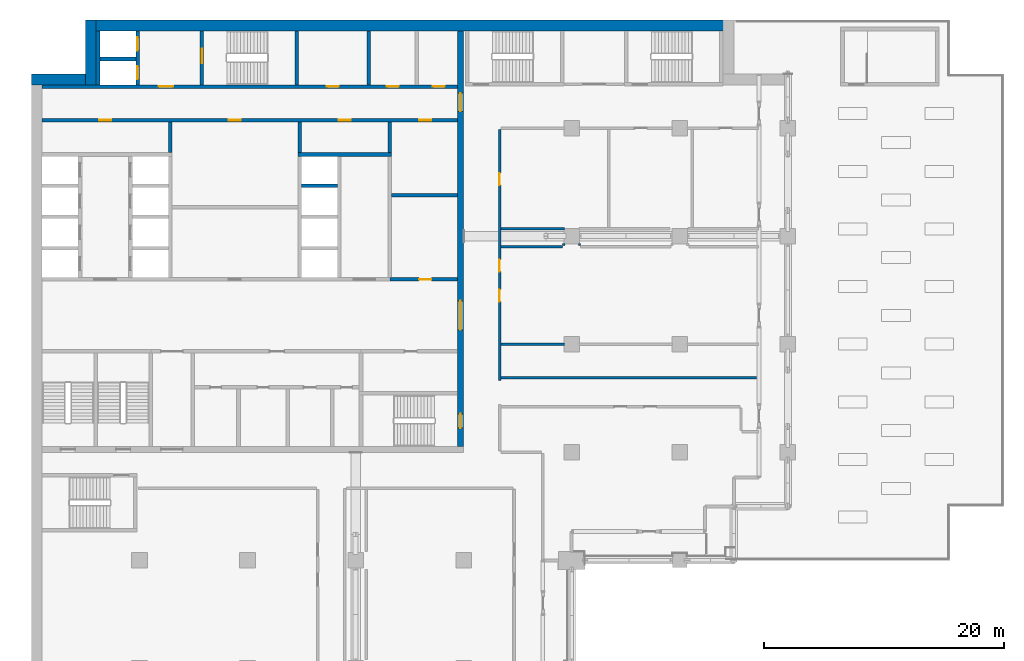
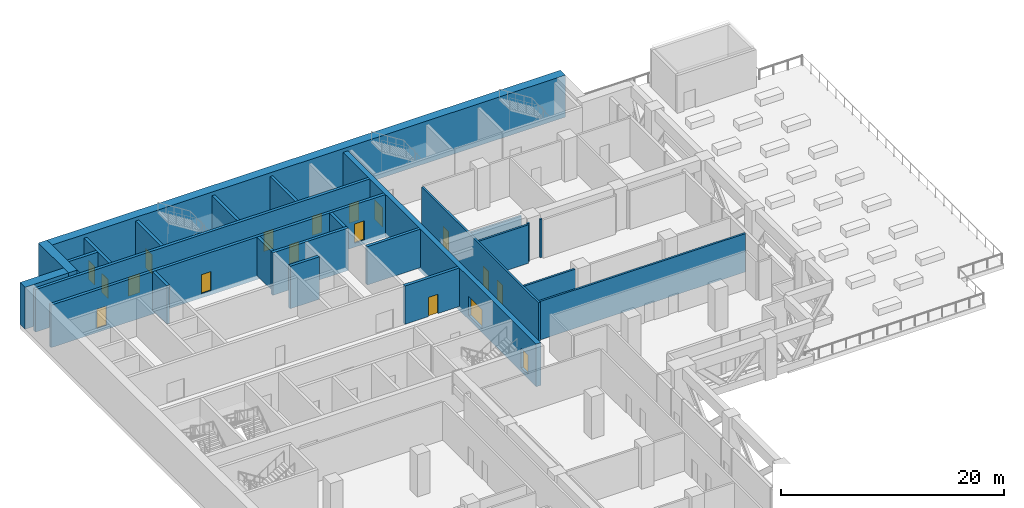
# One storey, part 11 of 22: 26 walls, 18 doors, 18 openings.
"""IFC4 building model written with IfcOpenShell, lengths in metres."""

from ifc_helpers import new_model, si_unit, direction, frame, frame_2d, origin, place, context, subcontext, project, spatial, rectangle, extrude, material, layer, layer_set, type_object, element, fill, save


model = new_model("IFC4")

# Units and contexts
model_context = context("Model", 3, precision=1e-05, world=origin(), true_north=direction((0.0, 1.0)))
body_context = subcontext(model_context, "Body", "Model", "MODEL_VIEW")
ifc_project = project(units=[si_unit("LENGTHUNIT", "METRE"), si_unit("AREAUNIT", "SQUARE_METRE"), si_unit("VOLUMEUNIT", "CUBIC_METRE"), si_unit("PLANEANGLEUNIT", "RADIAN"), si_unit("MASSUNIT", "GRAM", prefix="KILO")], contexts=[model_context])

# Site, building, storey
site_placement = place(None, origin())
site = spatial("IfcSite", under=ifc_project, at=site_placement, CompositionType="ELEMENT")
building_placement = place(site_placement, origin())
building = spatial("IfcBuilding", under=site, at=building_placement, Name="Hunhe Ridgeline Campus", CompositionType="ELEMENT")
storey_placement = place(building_placement, frame((0.0, 0.0, 129.199951171875)))
storey = spatial("IfcBuildingStorey", under=building, at=storey_placement, Name="L32", CompositionType="ELEMENT", Elevation=129.199951171875)

# Walls
ifc_material_1 = material(Name="Masonry concrete blockwork", Category="masonry")
ifc_layer_1 = layer(ifc_material_1, 0.300048828125)
ifc_layer_set_1 = layer_set([ifc_layer_1], Name="Core room partition 300 concrete block")
wall_type_1 = type_object("IfcWallType", Name="Core room partition 300 concrete block", PredefinedType="PARTITIONING", material=ifc_layer_set_1)
wall_1_placement = place(storey_placement, frame((30.0, 84.39990234375, 0.0), z_axis=(0.0, 0.0, 1.0), x_axis=(1.0, 0.0, 0.0)))
element("IfcWall", 1, at=wall_1_placement, inside=storey, type_object=wall_type_1, Name="L32 core partition 22", PredefinedType="PARTITIONING", context=body_context, shape_type="SweptSolid", body=[
    extrude(rectangle(XDim=5.5, YDim=0.300048828125, at=frame_2d((2.75, 0.0))), origin(), (0.0, 0.0, 1.0), 4.199951171875),
])
for number, where, z_axis, x_axis, name in (
    (2, (11.550048828125, 87.949951171875, 0.0), (0.0, 0.0, 1.0), (0.0, 1.0, 0.0), "L32 core partition 44"),
    (3, (22.35009765625, 87.949951171875, 0.0), (0.0, 0.0, 1.0), (0.0, 1.0, 0.0), "L32 core partition 52"),
):
    element("IfcWall", number, at=place(storey_placement, frame(where, z_axis=z_axis, x_axis=x_axis)), inside=storey, type_object=wall_type_1, Name=name, PredefinedType="PARTITIONING", context=body_context, shape_type="SweptSolid", body=[
        extrude(rectangle(XDim=2.550048828125, YDim=0.300048828125, at=frame_2d((1.27490234375, 0.0))), origin(), (0.0, 0.0, 1.0), 4.199951171875),
    ])
wall_2_placement = place(storey_placement, frame((28.10009765625, 93.60009765625, 0.0), z_axis=(0.0, 0.0, 1.0), x_axis=(0.0, 1.0, 0.0)))
element("IfcWall", 4, at=wall_2_placement, inside=storey, type_object=wall_type_1, Name="L32 core partition 58", PredefinedType="PARTITIONING", context=body_context, shape_type="SweptSolid", body=[
    extrude(rectangle(XDim=4.5, YDim=0.300048828125, at=frame_2d((2.25, 0.0))), origin(), (0.0, 0.0, 1.0), 4.199951171875),
])
wall_3_placement = place(storey_placement, frame((29.85009765625, 87.949951171875, 0.0), z_axis=(0.0, 0.0, 1.0), x_axis=(0.0, 1.0, 0.0)))
element("IfcWall", 5, at=wall_3_placement, inside=storey, type_object=wall_type_1, Name="L32 core partition 60", PredefinedType="PARTITIONING", context=body_context, shape_type="SweptSolid", body=[
    extrude(rectangle(XDim=2.550048828125, YDim=0.300048828125, at=frame_2d((1.27490234375, 0.0))), origin(), (0.0, 0.0, 1.0), 4.199951171875),
])

# Wall, openings, doors
ifc_material_2 = material(Name="Concrete C70", Category="concrete")
ifc_layer_2 = layer(ifc_material_2, 0.5)
ifc_layer_set_2 = layer_set([ifc_layer_2], Name="Core wall 500 reinforced concrete C70")
wall_type_2 = type_object("IfcWallType", Name="Core wall 500 reinforced concrete C70", PredefinedType="SOLIDWALL", material=ifc_layer_set_2)
wall_4_placement = place(storey_placement, frame((35.75, 63.5, -0.449951171875), z_axis=(0.0, 0.0, 1.0), x_axis=(0.0, 1.0, 0.0)))
wall_4 = element("IfcWall", 6, at=wall_4_placement, inside=storey, type_object=wall_type_2, Name="L32 core wall 62", PredefinedType="SOLIDWALL", context=body_context, shape_type="SweptSolid", body=[
    extrude(rectangle(XDim=34.60009765625, YDim=0.5, at=frame_2d((17.300048828125, 0.0))), origin(), (0.0, 0.0, 1.0), 4.64990234375),
])
opening_1_placement = place(wall_4_placement, frame((9.699951171875, 0.0, 0.449951171875)))
opening_1 = element("IfcOpeningElement", 7, at=opening_1_placement, cuts=wall_4, Name="Opening CD4", PredefinedType="OPENING", context=body_context, shape_type="SweptSolid", body=[
    extrude(rectangle(XDim=2.39990234375, YDim=2.10009765625, at=frame_2d((1.199951171875, 1.050048828125))), frame((0.0, 0.25, 0.0), z_axis=(0.0, -1.0, 0.0), x_axis=(1.0, 0.0, 0.0)), (0.0, 0.0, 1.0), 0.5),
])
opening_2_placement = place(wall_4_placement, frame((27.89990234375, 0.0, 0.449951171875)))
opening_2 = element("IfcOpeningElement", 8, at=opening_2_placement, cuts=wall_4, Name="Opening CD5", PredefinedType="OPENING", context=body_context, shape_type="SweptSolid", body=[
    extrude(rectangle(XDim=1.5, YDim=2.10009765625, at=frame_2d((0.75, 1.050048828125))), frame((0.0, 0.25, 0.0), z_axis=(0.0, -1.0, 0.0), x_axis=(1.0, 0.0, 0.0)), (0.0, 0.0, 1.0), 0.5),
])
opening_3_placement = place(wall_4_placement, frame((1.5, 0.0, 0.449951171875)))
opening_3 = element("IfcOpeningElement", 9, at=opening_3_placement, cuts=wall_4, Name="Opening CD15", PredefinedType="OPENING", context=body_context, shape_type="SweptSolid", body=[
    extrude(rectangle(XDim=1.199951171875, YDim=2.10009765625, at=frame_2d((0.60009765625, 1.050048828125))), frame((0.0, 0.25, 0.0), z_axis=(0.0, -1.0, 0.0), x_axis=(1.0, 0.0, 0.0)), (0.0, 0.0, 1.0), 0.5),
])
ifc_material_3 = material(Name="Anodised aluminium and glass", Category="aluminium")
door_type_1 = type_object("IfcDoorType", Name="Glazed double door 2400x2100", OperationType="DOUBLE_DOOR_SINGLE_SWING", PredefinedType="DOOR", material=ifc_material_3)
door_1_placement = place(opening_1_placement, frame((2.39990234375, 0.0, 0.0), z_axis=(0.0, 0.0, 1.0), x_axis=(-1.0, 0.0, 0.0)))
door_1 = element("IfcDoor", 10, at=door_1_placement, inside=storey, type_object=door_type_1, Name="L32 door HALL-FLOOR", OperationType="DOUBLE_DOOR_SINGLE_SWING", OverallHeight=2.10009765625, OverallWidth=2.39990234375, PredefinedType="DOOR", context=body_context, shape_type="SweptSolid", body=[
    extrude(rectangle(XDim=2.39990234375, YDim=2.10009765625, at=frame_2d((1.199951171875, 1.050048828125))), frame((0.0, 0.02490234375, 0.0), z_axis=(0.0, -1.0, 0.0), x_axis=(1.0, 0.0, 0.0)), (0.0, 0.0, 1.0), 0.050048828125),
])
fill(opening_1, door_1)
ifc_material_4 = material(Name="Hollow metal fire door leaf")
door_type_2 = type_object("IfcDoorType", Name="Stair door 1200x2100 FD60", OperationType="SINGLE_SWING_LEFT", PredefinedType="DOOR", material=ifc_material_4)
door_2_placement = place(opening_3_placement, frame((1.199951171875, 0.0, 0.0), z_axis=(0.0, 0.0, 1.0), x_axis=(-1.0, 0.0, 0.0)))
door_2 = element("IfcDoor", 11, at=door_2_placement, inside=storey, type_object=door_type_2, Name="L32 door S2-FLOOR", OperationType="SINGLE_SWING_RIGHT", OverallHeight=2.10009765625, OverallWidth=1.199951171875, PredefinedType="DOOR", context=body_context, shape_type="SweptSolid", body=[
    extrude(rectangle(XDim=1.199951171875, YDim=2.10009765625, at=frame_2d((0.60009765625, 1.050048828125))), frame((0.0, 0.02490234375, 0.0), z_axis=(0.0, -1.0, 0.0), x_axis=(1.0, 0.0, 0.0)), (0.0, 0.0, 1.0), 0.050048828125),
])
fill(opening_3, door_2)
ifc_material_5 = material(Name="Solid core timber door leaf", Category="wood")
door_type_3 = type_object("IfcDoorType", Name="Timber door 1500x2100", OperationType="SINGLE_SWING_LEFT", PredefinedType="DOOR", material=ifc_material_5)
door_3_placement = place(opening_2_placement, frame((1.5, 0.0, 0.0), z_axis=(0.0, 0.0, 1.0), x_axis=(-1.0, 0.0, 0.0)))
door_3 = element("IfcDoor", 12, at=door_3_placement, inside=storey, type_object=door_type_3, Name="L32 door C1-FLOOR", OperationType="SINGLE_SWING_RIGHT", OverallHeight=2.10009765625, OverallWidth=1.5, PredefinedType="DOOR", context=body_context, shape_type="SweptSolid", body=[
    extrude(rectangle(XDim=1.5, YDim=2.10009765625, at=frame_2d((0.75, 1.050048828125))), frame((0.0, 0.02490234375, 0.0), z_axis=(0.0, -1.0, 0.0), x_axis=(1.0, 0.0, 0.0)), (0.0, 0.0, 1.0), 0.050048828125),
])
fill(opening_2, door_3)

# Walls
ifc_material_6 = material(Name="Gypsum board partition")
ifc_layer_3 = layer(ifc_material_6, 0.199951171875)
ifc_layer_set_3 = layer_set([ifc_layer_3], Name="Corridor partition 200 gypsum board on steel studs")
wall_type_3 = type_object("IfcWallType", Name="Corridor partition 200 gypsum board on steel studs", PredefinedType="PARTITIONING", material=ifc_layer_set_3)
wall_5_placement = place(storey_placement, frame((39.10009765625, 69.199951171875, 0.0), z_axis=(0.0, 0.0, 1.0), x_axis=(1.0, 0.0, 0.0)))
element("IfcWall", 13, at=wall_5_placement, inside=storey, type_object=wall_type_3, Name="F-L32-wall-030", PredefinedType="PARTITIONING", context=body_context, shape_type="SweptSolid", body=[
    extrude(rectangle(XDim=21.299560546875, YDim=0.199951171875, at=frame_2d((10.64990234375, 0.0))), origin(), (0.0, 0.0, 1.0), 4.199951171875),
])
wall_6_placement = place(storey_placement, frame((39.10009765625, 72.0, 0.0), z_axis=(0.0, 0.0, 1.0), x_axis=(1.0, 0.0, 0.0)))
element("IfcWall", 14, at=wall_6_placement, inside=storey, type_object=wall_type_3, Name="F-L32-wall-031", PredefinedType="PARTITIONING", context=body_context, shape_type="SweptSolid", body=[
    extrude(rectangle(XDim=5.2998046875, YDim=0.199951171875, at=frame_2d((2.64990234375, 0.0))), origin(), (0.0, 0.0, 1.0), 4.199951171875),
])
wall_7_placement = place(storey_placement, frame((39.10009765625, 80.10009765625, 0.0), z_axis=(0.0, 0.0, 1.0), x_axis=(1.0, 0.0, 0.0)))
element("IfcWall", 15, at=wall_7_placement, inside=storey, type_object=wall_type_3, Name="F-L32-wall-034", PredefinedType="PARTITIONING", context=body_context, shape_type="SweptSolid", body=[
    extrude(rectangle(XDim=5.14990234375, YDim=0.199951171875, at=frame_2d((2.574951171875, 0.0))), origin(), (0.0, 0.0, 1.0), 4.199951171875),
])
wall_8_placement = place(storey_placement, frame((39.10009765625, 81.60009765625, 0.0), z_axis=(0.0, 0.0, 1.0), x_axis=(1.0, 0.0, 0.0)))
element("IfcWall", 16, at=wall_8_placement, inside=storey, type_object=wall_type_3, Name="F-L32-wall-037", PredefinedType="PARTITIONING", context=body_context, shape_type="SweptSolid", body=[
    extrude(rectangle(XDim=5.2861328125, YDim=0.199951171875, at=frame_2d((2.64306640625, 0.0))), origin(), (0.0, 0.0, 1.0), 4.199951171875),
])

# Wall, openings, doors
wall_9_placement = place(storey_placement, frame((39.0, 89.89990234375, 0.0), z_axis=(0.0, 0.0, 1.0), x_axis=(0.0, -1.0, 0.0)))
wall_9 = element("IfcWall", 17, at=wall_9_placement, inside=storey, type_object=wall_type_3, Name="F-L32-wall-060", PredefinedType="PARTITIONING", context=body_context, shape_type="SweptSolid", body=[
    extrude(rectangle(XDim=20.92041015625, YDim=0.199951171875, at=frame_2d((10.460205078125, 0.0))), origin(), (0.0, 0.0, 1.0), 4.199951171875),
])
opening_4_placement = place(wall_9_placement, frame((13.363037109375, 0.0, 0.0)))
opening_4 = element("IfcOpeningElement", 18, at=opening_4_placement, cuts=wall_9, Name="Opening RD1-022", PredefinedType="OPENING", context=body_context, shape_type="SweptSolid", body=[
    extrude(rectangle(XDim=1.0, YDim=2.10009765625, at=frame_2d((0.5, 1.050048828125))), frame((0.0, 0.10009765625, 0.0), z_axis=(0.0, -1.0, 0.0), x_axis=(1.0, 0.0, 0.0)), (0.0, 0.0, 1.0), 0.199951171875),
])
opening_5_placement = place(wall_9_placement, frame((10.863037109375, 0.0, 0.0)))
opening_5 = element("IfcOpeningElement", 19, at=opening_5_placement, cuts=wall_9, Name="Opening RD1-023", PredefinedType="OPENING", context=body_context, shape_type="SweptSolid", body=[
    extrude(rectangle(XDim=1.0, YDim=2.10009765625, at=frame_2d((0.5, 1.050048828125))), frame((0.0, 0.10009765625, 0.0), z_axis=(0.0, -1.0, 0.0), x_axis=(1.0, 0.0, 0.0)), (0.0, 0.0, 1.0), 0.199951171875),
])
opening_6_placement = place(wall_9_placement, frame((3.658935546875, 0.0, 0.0)))
opening_6 = element("IfcOpeningElement", 20, at=opening_6_placement, cuts=wall_9, Name="Opening RD1-024", PredefinedType="OPENING", context=body_context, shape_type="SweptSolid", body=[
    extrude(rectangle(XDim=1.0, YDim=2.10009765625, at=frame_2d((0.5, 1.050048828125))), frame((0.0, 0.10009765625, 0.0), z_axis=(0.0, -1.0, 0.0), x_axis=(1.0, 0.0, 0.0)), (0.0, 0.0, 1.0), 0.199951171875),
])
ifc_material_7 = material(Name="Timber door leaf", Category="wood")
door_type_4 = type_object("IfcDoorType", Name="Single fire door 1000x2100 timber FD60", OperationType="NOTDEFINED", PredefinedType="DOOR", material=ifc_material_7)
door_4_placement = place(opening_4_placement, frame((1.0, 0.0, 0.0), z_axis=(0.0, 0.0, 1.0), x_axis=(-1.0, 0.0, 0.0)))
door_4 = element("IfcDoor", 21, at=door_4_placement, inside=storey, type_object=door_type_4, Name="F-L32-door-022", OperationType="SINGLE_SWING_RIGHT", OverallHeight=2.10009765625, OverallWidth=1.0, PredefinedType="DOOR", context=body_context, shape_type="SweptSolid", body=[
    extrude(rectangle(XDim=1.0, YDim=2.10009765625, at=frame_2d((0.5, 1.050048828125))), frame((0.0, 0.02490234375, 0.0), z_axis=(0.0, -1.0, 0.0), x_axis=(1.0, 0.0, 0.0)), (0.0, 0.0, 1.0), 0.050048828125),
])
fill(opening_4, door_4)
door_5_placement = place(opening_5_placement, frame((1.0, 0.0, 0.0), z_axis=(0.0, 0.0, 1.0), x_axis=(-1.0, 0.0, 0.0)))
door_5 = element("IfcDoor", 22, at=door_5_placement, inside=storey, type_object=door_type_4, Name="F-L32-door-023", OperationType="SINGLE_SWING_RIGHT", OverallHeight=2.10009765625, OverallWidth=1.0, PredefinedType="DOOR", context=body_context, shape_type="SweptSolid", body=[
    extrude(rectangle(XDim=1.0, YDim=2.10009765625, at=frame_2d((0.5, 1.050048828125))), frame((0.0, 0.02490234375, 0.0), z_axis=(0.0, -1.0, 0.0), x_axis=(1.0, 0.0, 0.0)), (0.0, 0.0, 1.0), 0.050048828125),
])
fill(opening_5, door_5)
door_6_placement = place(opening_6_placement, frame((1.0, 0.0, 0.0), z_axis=(0.0, 0.0, 1.0), x_axis=(-1.0, 0.0, 0.0)))
door_6 = element("IfcDoor", 23, at=door_6_placement, inside=storey, type_object=door_type_4, Name="F-L32-door-024", OperationType="SINGLE_SWING_RIGHT", OverallHeight=2.10009765625, OverallWidth=1.0, PredefinedType="DOOR", context=body_context, shape_type="SweptSolid", body=[
    extrude(rectangle(XDim=1.0, YDim=2.10009765625, at=frame_2d((0.5, 1.050048828125))), frame((0.0, 0.02490234375, 0.0), z_axis=(0.0, -1.0, 0.0), x_axis=(1.0, 0.0, 0.0)), (0.0, 0.0, 1.0), 0.050048828125),
])
fill(opening_6, door_6)

# Walls
for number, where, z_axis, x_axis, name in (
    (24, (44.35009765625, 80.39990234375, 0.0), (0.0, 0.0, 1.0), (0.0, -1.0, 0.0), "F-L32-wall-063"),
    (25, (45.64990234375, 80.39990234375, 0.0), (0.0, 0.0, 1.0), (0.0, -1.0, 0.0), "F-L32-wall-064"),
):
    element("IfcWall", number, at=place(storey_placement, frame(where, z_axis=z_axis, x_axis=x_axis)), inside=storey, type_object=wall_type_3, Name=name, PredefinedType="PARTITIONING", context=body_context, shape_type="SweptSolid", body=[
        extrude(rectangle(XDim=0.199951171875, YDim=0.199951171875, at=frame_2d((0.10009765625, 0.0))), origin(), (0.0, 0.0, 1.0), 4.199951171875),
    ])

# Wall, opening, door
ifc_layer_4 = layer(ifc_material_2, 0.300048828125)
ifc_layer_set_4 = layer_set([ifc_layer_4], Name="Lobby wall 300 reinforced concrete C70")
wall_type_4 = type_object("IfcWallType", Name="Lobby wall 300 reinforced concrete C70", PredefinedType="SOLIDWALL", material=ifc_layer_set_4)
wall_10_placement = place(storey_placement, frame((29.85009765625, 77.39990234375, 0.0), z_axis=(0.0, 0.0, 1.0), x_axis=(1.0, 0.0, 0.0)))
wall_10 = element("IfcWall", 26, at=wall_10_placement, inside=storey, type_object=wall_type_4, Name="L32 core wall 14", PredefinedType="SOLIDWALL", context=body_context, shape_type="SweptSolid", body=[
    extrude(rectangle(XDim=5.64990234375, YDim=0.300048828125, at=frame_2d((2.824951171875, 0.0))), origin(), (0.0, 0.0, 1.0), 4.199951171875),
])
opening_7_placement = place(wall_10_placement, frame((2.449951171875, 0.0, 0.0)))
opening_7 = element("IfcOpeningElement", 27, at=opening_7_placement, cuts=wall_10, Name="Opening CD32", PredefinedType="OPENING", context=body_context, shape_type="SweptSolid", body=[
    extrude(rectangle(XDim=1.0, YDim=2.10009765625, at=frame_2d((0.5, 1.050048828125))), frame((0.0, 0.14990234375, 0.0), z_axis=(0.0, -1.0, 0.0), x_axis=(1.0, 0.0, 0.0)), (0.0, 0.0, 1.0), 0.300048828125),
])
door_type_5 = type_object("IfcDoorType", Name="Timber door 1000x2100", OperationType="SINGLE_SWING_LEFT", PredefinedType="DOOR", material=ifc_material_5)
door_7_placement = place(opening_7_placement, origin())
door_7 = element("IfcDoor", 28, at=door_7_placement, inside=storey, type_object=door_type_5, Name="L32 door ES0", OperationType="SINGLE_SWING_LEFT", OverallHeight=2.10009765625, OverallWidth=1.0, PredefinedType="DOOR", context=body_context, shape_type="SweptSolid", body=[
    extrude(rectangle(XDim=1.0, YDim=2.10009765625, at=frame_2d((0.5, 1.050048828125))), frame((0.0, 0.02490234375, 0.0), z_axis=(0.0, -1.0, 0.0), x_axis=(1.0, 0.0, 0.0)), (0.0, 0.0, 1.0), 0.050048828125),
])
fill(opening_7, door_7)

# Wall, openings, doors
wall_11_placement = place(storey_placement, frame((0.89990234375, 90.64990234375, -0.449951171875), z_axis=(0.0, 0.0, 1.0), x_axis=(1.0, 0.0, 0.0)))
wall_11 = element("IfcWall", 29, at=wall_11_placement, inside=storey, type_object=wall_type_4, Name="L32 core wall 28", PredefinedType="SOLIDWALL", context=body_context, shape_type="SweptSolid", body=[
    extrude(rectangle(XDim=34.60009765625, YDim=0.300048828125, at=frame_2d((17.300048828125, 0.0))), origin(), (0.0, 0.0, 1.0), 4.64990234375),
])
opening_8_placement = place(wall_11_placement, frame((4.75, 0.0, 0.449951171875)))
opening_8 = element("IfcOpeningElement", 30, at=opening_8_placement, cuts=wall_11, Name="Opening CD26", PredefinedType="OPENING", context=body_context, shape_type="SweptSolid", body=[
    extrude(rectangle(XDim=1.0, YDim=2.10009765625, at=frame_2d((0.5, 1.050048828125))), frame((0.0, 0.14990234375, 0.0), z_axis=(0.0, -1.0, 0.0), x_axis=(1.0, 0.0, 0.0)), (0.0, 0.0, 1.0), 0.300048828125),
])
opening_9_placement = place(wall_11_placement, frame((24.699951171875, 0.0, 0.449951171875)))
opening_9 = element("IfcOpeningElement", 31, at=opening_9_placement, cuts=wall_11, Name="Opening CD27", PredefinedType="OPENING", context=body_context, shape_type="SweptSolid", body=[
    extrude(rectangle(XDim=1.0, YDim=2.10009765625, at=frame_2d((0.5, 1.050048828125))), frame((0.0, 0.14990234375, 0.0), z_axis=(0.0, -1.0, 0.0), x_axis=(1.0, 0.0, 0.0)), (0.0, 0.0, 1.0), 0.300048828125),
])
opening_10_placement = place(wall_11_placement, frame((15.550048828125, 0.0, 0.449951171875)))
opening_10 = element("IfcOpeningElement", 32, at=opening_10_placement, cuts=wall_11, Name="Opening CD29", PredefinedType="OPENING", context=body_context, shape_type="SweptSolid", body=[
    extrude(rectangle(XDim=1.0, YDim=2.10009765625, at=frame_2d((0.5, 1.050048828125))), frame((0.0, 0.14990234375, 0.0), z_axis=(0.0, -1.0, 0.0), x_axis=(1.0, 0.0, 0.0)), (0.0, 0.0, 1.0), 0.300048828125),
])
opening_11_placement = place(wall_11_placement, frame((31.39990234375, 0.0, 0.449951171875)))
opening_11 = element("IfcOpeningElement", 33, at=opening_11_placement, cuts=wall_11, Name="Opening CD33", PredefinedType="OPENING", context=body_context, shape_type="SweptSolid", body=[
    extrude(rectangle(XDim=1.0, YDim=2.10009765625, at=frame_2d((0.5, 1.050048828125))), frame((0.0, 0.14990234375, 0.0), z_axis=(0.0, -1.0, 0.0), x_axis=(1.0, 0.0, 0.0)), (0.0, 0.0, 1.0), 0.300048828125),
])
door_8_placement = place(opening_8_placement, frame((1.0, 0.0, 0.0), z_axis=(0.0, 0.0, 1.0), x_axis=(-1.0, 0.0, 0.0)))
door_8 = element("IfcDoor", 34, at=door_8_placement, inside=storey, type_object=door_type_5, Name="L32 door NR-0", OperationType="SINGLE_SWING_LEFT", OverallHeight=2.10009765625, OverallWidth=1.0, PredefinedType="DOOR", context=body_context, shape_type="SweptSolid", body=[
    extrude(rectangle(XDim=1.0, YDim=2.10009765625, at=frame_2d((0.5, 1.050048828125))), frame((0.0, 0.02490234375, 0.0), z_axis=(0.0, -1.0, 0.0), x_axis=(1.0, 0.0, 0.0)), (0.0, 0.0, 1.0), 0.050048828125),
])
fill(opening_8, door_8)
door_9_placement = place(opening_9_placement, frame((1.0, 0.0, 0.0), z_axis=(0.0, 0.0, 1.0), x_axis=(-1.0, 0.0, 0.0)))
door_9 = element("IfcDoor", 35, at=door_9_placement, inside=storey, type_object=door_type_5, Name="L32 door NR-1", OperationType="SINGLE_SWING_RIGHT", OverallHeight=2.10009765625, OverallWidth=1.0, PredefinedType="DOOR", context=body_context, shape_type="SweptSolid", body=[
    extrude(rectangle(XDim=1.0, YDim=2.10009765625, at=frame_2d((0.5, 1.050048828125))), frame((0.0, 0.02490234375, 0.0), z_axis=(0.0, -1.0, 0.0), x_axis=(1.0, 0.0, 0.0)), (0.0, 0.0, 1.0), 0.050048828125),
])
fill(opening_9, door_9)
door_10_placement = place(opening_10_placement, frame((1.0, 0.0, 0.0), z_axis=(0.0, 0.0, 1.0), x_axis=(-1.0, 0.0, 0.0)))
door_10 = element("IfcDoor", 36, at=door_10_placement, inside=storey, type_object=door_type_5, Name="L32 door VD-HR1", OperationType="SINGLE_SWING_RIGHT", OverallHeight=2.10009765625, OverallWidth=1.0, PredefinedType="DOOR", context=body_context, shape_type="SweptSolid", body=[
    extrude(rectangle(XDim=1.0, YDim=2.10009765625, at=frame_2d((0.5, 1.050048828125))), frame((0.0, 0.02490234375, 0.0), z_axis=(0.0, -1.0, 0.0), x_axis=(1.0, 0.0, 0.0)), (0.0, 0.0, 1.0), 0.050048828125),
])
fill(opening_10, door_10)
door_11_placement = place(opening_11_placement, frame((1.0, 0.0, 0.0), z_axis=(0.0, 0.0, 1.0), x_axis=(-1.0, 0.0, 0.0)))
door_11 = element("IfcDoor", 37, at=door_11_placement, inside=storey, type_object=door_type_5, Name="L32 door ES1", OperationType="SINGLE_SWING_LEFT", OverallHeight=2.10009765625, OverallWidth=1.0, PredefinedType="DOOR", context=body_context, shape_type="SweptSolid", body=[
    extrude(rectangle(XDim=1.0, YDim=2.10009765625, at=frame_2d((0.5, 1.050048828125))), frame((0.0, 0.02490234375, 0.0), z_axis=(0.0, -1.0, 0.0), x_axis=(1.0, 0.0, 0.0)), (0.0, 0.0, 1.0), 0.050048828125),
])
fill(opening_11, door_11)

# Walls
ifc_layer_5 = layer(ifc_material_2, 0.300048828125)
ifc_layer_set_5 = layer_set([ifc_layer_5], Name="Shaft wall 300 reinforced concrete C70")
wall_type_5 = type_object("IfcWallType", Name="Shaft wall 300 reinforced concrete C70", PredefinedType="SOLIDWALL", material=ifc_layer_set_5)
wall_12_placement = place(storey_placement, frame((22.5, 85.199951171875, -0.449951171875), z_axis=(0.0, 0.0, 1.0), x_axis=(1.0, 0.0, 0.0)))
element("IfcWall", 38, at=wall_12_placement, inside=storey, type_object=wall_type_5, Name="L32 core wall 25", PredefinedType="SOLIDWALL", context=body_context, shape_type="SweptSolid", body=[
    extrude(rectangle(XDim=3.0, YDim=0.300048828125, at=frame_2d((1.5, 0.0))), origin(), (0.0, 0.0, 1.0), 4.64990234375),
])
wall_13_placement = place(storey_placement, frame((22.199951171875, 87.800048828125, -0.449951171875), z_axis=(0.0, 0.0, 1.0), x_axis=(1.0, 0.0, 0.0)))
element("IfcWall", 39, at=wall_13_placement, inside=storey, type_object=wall_type_5, Name="L32 core wall 27", PredefinedType="SOLIDWALL", context=body_context, shape_type="SweptSolid", body=[
    extrude(rectangle(XDim=7.800048828125, YDim=0.300048828125, at=frame_2d((3.89990234375, 0.0))), origin(), (0.0, 0.0, 1.0), 4.64990234375),
])

# Wall, openings, doors
wall_14_placement = place(storey_placement, frame((0.89990234375, 93.449951171875, -0.449951171875), z_axis=(0.0, 0.0, 1.0), x_axis=(1.0, 0.0, 0.0)))
wall_14 = element("IfcWall", 40, at=wall_14_placement, inside=storey, type_object=wall_type_5, Name="L32 core wall 29", PredefinedType="SOLIDWALL", context=body_context, shape_type="SweptSolid", body=[
    extrude(rectangle(XDim=34.60009765625, YDim=0.300048828125, at=frame_2d((17.300048828125, 0.0))), origin(), (0.0, 0.0, 1.0), 4.64990234375),
])
opening_12_placement = place(wall_14_placement, frame((9.699951171875, 0.0, 0.449951171875)))
opening_12 = element("IfcOpeningElement", 41, at=opening_12_placement, cuts=wall_14, Name="Opening CD3", PredefinedType="OPENING", context=body_context, shape_type="SweptSolid", body=[
    extrude(rectangle(XDim=1.199951171875, YDim=2.10009765625, at=frame_2d((0.60009765625, 1.050048828125))), frame((0.0, 0.14990234375, 0.0), z_axis=(0.0, -1.0, 0.0), x_axis=(1.0, 0.0, 0.0)), (0.0, 0.0, 1.0), 0.300048828125),
])
opening_13_placement = place(wall_14_placement, frame((23.699951171875, 0.0, 0.449951171875)))
opening_13 = element("IfcOpeningElement", 42, at=opening_13_placement, cuts=wall_14, Name="Opening CD34", PredefinedType="OPENING", context=body_context, shape_type="SweptSolid", body=[
    extrude(rectangle(XDim=1.0, YDim=2.10009765625, at=frame_2d((0.5, 1.050048828125))), frame((0.0, 0.14990234375, 0.0), z_axis=(0.0, -1.0, 0.0), x_axis=(1.0, 0.0, 0.0)), (0.0, 0.0, 1.0), 0.300048828125),
])
opening_14_placement = place(wall_14_placement, frame((28.699951171875, 0.0, 0.449951171875)))
opening_14 = element("IfcOpeningElement", 43, at=opening_14_placement, cuts=wall_14, Name="Opening CD35", PredefinedType="OPENING", context=body_context, shape_type="SweptSolid", body=[
    extrude(rectangle(XDim=1.0, YDim=2.10009765625, at=frame_2d((0.5, 1.050048828125))), frame((0.0, 0.14990234375, 0.0), z_axis=(0.0, -1.0, 0.0), x_axis=(1.0, 0.0, 0.0)), (0.0, 0.0, 1.0), 0.300048828125),
])
opening_15_placement = place(wall_14_placement, frame((32.52490234375, 0.0, 0.449951171875)))
opening_15 = element("IfcOpeningElement", 44, at=opening_15_placement, cuts=wall_14, Name="Opening CD36", PredefinedType="OPENING", context=body_context, shape_type="SweptSolid", body=[
    extrude(rectangle(XDim=1.0, YDim=2.10009765625, at=frame_2d((0.5, 1.050048828125))), frame((0.0, 0.14990234375, 0.0), z_axis=(0.0, -1.0, 0.0), x_axis=(1.0, 0.0, 0.0)), (0.0, 0.0, 1.0), 0.300048828125),
])
door_type_6 = type_object("IfcDoorType", Name="Lobby door 1200x2100 FD60", OperationType="SINGLE_SWING_LEFT", PredefinedType="DOOR", material=ifc_material_4)
door_12_placement = place(opening_12_placement, frame((1.199951171875, 0.0, 0.0), z_axis=(0.0, 0.0, 1.0), x_axis=(-1.0, 0.0, 0.0)))
door_12 = element("IfcDoor", 45, at=door_12_placement, inside=storey, type_object=door_type_6, Name="L32 door FF-C1", OperationType="SINGLE_SWING_LEFT", OverallHeight=2.10009765625, OverallWidth=1.199951171875, PredefinedType="DOOR", context=body_context, shape_type="SweptSolid", body=[
    extrude(rectangle(XDim=1.199951171875, YDim=2.10009765625, at=frame_2d((0.60009765625, 1.050048828125))), frame((0.0, 0.02490234375, 0.0), z_axis=(0.0, -1.0, 0.0), x_axis=(1.0, 0.0, 0.0)), (0.0, 0.0, 1.0), 0.050048828125),
])
fill(opening_12, door_12)
door_13_placement = place(opening_13_placement, origin())
door_13 = element("IfcDoor", 46, at=door_13_placement, inside=storey, type_object=door_type_5, Name="L32 door NB0", OperationType="SINGLE_SWING_LEFT", OverallHeight=2.10009765625, OverallWidth=1.0, PredefinedType="DOOR", context=body_context, shape_type="SweptSolid", body=[
    extrude(rectangle(XDim=1.0, YDim=2.10009765625, at=frame_2d((0.5, 1.050048828125))), frame((0.0, 0.02490234375, 0.0), z_axis=(0.0, -1.0, 0.0), x_axis=(1.0, 0.0, 0.0)), (0.0, 0.0, 1.0), 0.050048828125),
])
fill(opening_13, door_13)
door_14_placement = place(opening_14_placement, origin())
door_14 = element("IfcDoor", 47, at=door_14_placement, inside=storey, type_object=door_type_5, Name="L32 door NB1", OperationType="SINGLE_SWING_RIGHT", OverallHeight=2.10009765625, OverallWidth=1.0, PredefinedType="DOOR", context=body_context, shape_type="SweptSolid", body=[
    extrude(rectangle(XDim=1.0, YDim=2.10009765625, at=frame_2d((0.5, 1.050048828125))), frame((0.0, 0.02490234375, 0.0), z_axis=(0.0, -1.0, 0.0), x_axis=(1.0, 0.0, 0.0)), (0.0, 0.0, 1.0), 0.050048828125),
])
fill(opening_14, door_14)
door_15_placement = place(opening_15_placement, origin())
door_15 = element("IfcDoor", 48, at=door_15_placement, inside=storey, type_object=door_type_5, Name="L32 door NB2", OperationType="SINGLE_SWING_LEFT", OverallHeight=2.10009765625, OverallWidth=1.0, PredefinedType="DOOR", context=body_context, shape_type="SweptSolid", body=[
    extrude(rectangle(XDim=1.0, YDim=2.10009765625, at=frame_2d((0.5, 1.050048828125))), frame((0.0, 0.02490234375, 0.0), z_axis=(0.0, -1.0, 0.0), x_axis=(1.0, 0.0, 0.0)), (0.0, 0.0, 1.0), 0.050048828125),
])
fill(opening_15, door_15)

# Walls
wall_15_placement = place(storey_placement, frame((5.699951171875, 95.75, -0.449951171875), z_axis=(0.0, 0.0, 1.0), x_axis=(1.0, 0.0, 0.0)))
element("IfcWall", 49, at=wall_15_placement, inside=storey, type_object=wall_type_5, Name="L32 core wall 33", PredefinedType="SOLIDWALL", context=body_context, shape_type="SweptSolid", body=[
    extrude(rectangle(XDim=3.0, YDim=0.300048828125, at=frame_2d((1.5, 0.0))), origin(), (0.0, 0.0, 1.0), 4.64990234375),
])
wall_16_placement = place(storey_placement, frame((5.550048828125, 93.60009765625, -0.449951171875), z_axis=(0.0, 0.0, 1.0), x_axis=(0.0, 1.0, 0.0)))
element("IfcWall", 50, at=wall_16_placement, inside=storey, type_object=wall_type_5, Name="L32 core wall 37", PredefinedType="SOLIDWALL", context=body_context, shape_type="SweptSolid", body=[
    extrude(rectangle(XDim=4.5, YDim=0.300048828125, at=frame_2d((2.25, 0.0))), origin(), (0.0, 0.0, 1.0), 4.64990234375),
])

# Wall, openings, doors
wall_17_placement = place(storey_placement, frame((8.85009765625, 93.60009765625, -0.449951171875), z_axis=(0.0, 0.0, 1.0), x_axis=(0.0, 1.0, 0.0)))
wall_17 = element("IfcWall", 51, at=wall_17_placement, inside=storey, type_object=wall_type_5, Name="L32 core wall 41", PredefinedType="SOLIDWALL", context=body_context, shape_type="SweptSolid", body=[
    extrude(rectangle(XDim=4.5, YDim=0.300048828125, at=frame_2d((2.25, 0.0))), origin(), (0.0, 0.0, 1.0), 4.64990234375),
])
opening_16_placement = place(wall_17_placement, frame((0.449951171875, 0.0, 0.449951171875)))
opening_16 = element("IfcOpeningElement", 52, at=opening_16_placement, cuts=wall_17, Name="Opening LD-FF1", PredefinedType="OPENING", context=body_context, shape_type="SweptSolid", body=[
    extrude(rectangle(XDim=1.10009765625, YDim=2.10009765625, at=frame_2d((0.550048828125, 1.050048828125))), frame((0.0, 0.14990234375, 0.0), z_axis=(0.0, -1.0, 0.0), x_axis=(1.0, 0.0, 0.0)), (0.0, 0.0, 1.0), 0.300048828125),
])
opening_17_placement = place(wall_17_placement, frame((2.85009765625, 0.0, 0.449951171875)))
opening_17 = element("IfcOpeningElement", 53, at=opening_17_placement, cuts=wall_17, Name="Opening LD-FF2", PredefinedType="OPENING", context=body_context, shape_type="SweptSolid", body=[
    extrude(rectangle(XDim=1.10009765625, YDim=2.10009765625, at=frame_2d((0.550048828125, 1.050048828125))), frame((0.0, 0.14990234375, 0.0), z_axis=(0.0, -1.0, 0.0), x_axis=(1.0, 0.0, 0.0)), (0.0, 0.0, 1.0), 0.300048828125),
])
ifc_material_8 = material(Name="Stainless steel sliding leaves", Category="steel")
door_type_7 = type_object("IfcDoorType", Name="Landing door 1100x2100 FD120", OperationType="SLIDING_TO_LEFT", PredefinedType="DOOR", material=ifc_material_8)
door_16_placement = place(opening_16_placement, origin())
door_16 = element("IfcDoor", 54, at=door_16_placement, inside=storey, type_object=door_type_7, Name="L32 landing door FF1", OperationType="SLIDING_TO_RIGHT", OverallHeight=2.10009765625, OverallWidth=1.10009765625, PredefinedType="DOOR", context=body_context, shape_type="SweptSolid", body=[
    extrude(rectangle(XDim=1.10009765625, YDim=2.10009765625, at=frame_2d((0.550048828125, 1.050048828125))), frame((0.0, 0.02490234375, 0.0), z_axis=(0.0, -1.0, 0.0), x_axis=(1.0, 0.0, 0.0)), (0.0, 0.0, 1.0), 0.050048828125),
])
fill(opening_16, door_16)
door_17_placement = place(opening_17_placement, origin())
door_17 = element("IfcDoor", 55, at=door_17_placement, inside=storey, type_object=door_type_7, Name="L32 landing door FF2", OperationType="SLIDING_TO_LEFT", OverallHeight=2.10009765625, OverallWidth=1.10009765625, PredefinedType="DOOR", context=body_context, shape_type="SweptSolid", body=[
    extrude(rectangle(XDim=1.10009765625, YDim=2.10009765625, at=frame_2d((0.550048828125, 1.050048828125))), frame((0.0, 0.02490234375, 0.0), z_axis=(0.0, -1.0, 0.0), x_axis=(1.0, 0.0, 0.0)), (0.0, 0.0, 1.0), 0.050048828125),
])
fill(opening_17, door_17)

# Walls
ifc_layer_6 = layer(ifc_material_2, 0.89990234375)
ifc_layer_set_6 = layer_set([ifc_layer_6], Name="Spine wall 900 Concrete C70")
wall_type_6 = type_object("IfcWallType", Name="Spine wall 900 Concrete C70", PredefinedType="SHEAR", material=ifc_layer_set_6)
wall_18_placement = place(storey_placement, frame((58.5, 98.550048828125, 0.0), z_axis=(0.0, 0.0, 1.0), x_axis=(-1.0, 0.0, 0.0)))
element("IfcWall", 56, at=wall_18_placement, inside=storey, type_object=wall_type_6, Name="Spine wall SW2-4 L32", PredefinedType="SHEAR", context=body_context, shape_type="SweptSolid", body=[
    extrude(rectangle(XDim=54.0, YDim=0.89990234375, at=frame_2d((27.0, 0.0))), origin(), (0.0, 0.0, 1.0), 4.60009765625),
])
for number, where, z_axis, x_axis, name in (
    (57, (4.949951171875, 99.0, 0.0), (0.0, 0.0, 1.0), (0.0, -1.0, 0.0), "Spine wall SW2-5 L32"),
    (58, (5.400146484375, 94.050048828125, 0.0), (0.0, 0.0, 1.0), (-1.0, 0.0, 0.0), "Spine wall SW2-6 L32"),
):
    element("IfcWall", number, at=place(storey_placement, frame(where, z_axis=z_axis, x_axis=x_axis)), inside=storey, type_object=wall_type_6, Name=name, PredefinedType="SHEAR", context=body_context, shape_type="SweptSolid", body=[
        extrude(rectangle(XDim=5.400146484375, YDim=0.89990234375, at=frame_2d((2.7001953125, 0.0))), origin(), (0.0, 0.0, 1.0), 4.60009765625),
    ])

# Wall, opening, door
ifc_layer_7 = layer(ifc_material_2, 0.300048828125)
ifc_layer_set_7 = layer_set([ifc_layer_7], Name="Stair wall 300 reinforced concrete C70")
wall_type_7 = type_object("IfcWallType", Name="Stair wall 300 reinforced concrete C70", PredefinedType="SOLIDWALL", material=ifc_layer_set_7)
wall_19_placement = place(storey_placement, frame((14.199951171875, 93.60009765625, -0.449951171875), z_axis=(0.0, 0.0, 1.0), x_axis=(0.0, 1.0, 0.0)))
wall_19 = element("IfcWall", 59, at=wall_19_placement, inside=storey, type_object=wall_type_7, Name="L32 core wall 46", PredefinedType="SOLIDWALL", context=body_context, shape_type="SweptSolid", body=[
    extrude(rectangle(XDim=4.5, YDim=0.300048828125, at=frame_2d((2.25, 0.0))), origin(), (0.0, 0.0, 1.0), 4.64990234375),
])
opening_18_placement = place(wall_19_placement, frame((1.800048828125, 0.0, 0.449951171875)))
opening_18 = element("IfcOpeningElement", 60, at=opening_18_placement, cuts=wall_19, Name="Opening CD16", PredefinedType="OPENING", context=body_context, shape_type="SweptSolid", body=[
    extrude(rectangle(XDim=1.199951171875, YDim=2.10009765625, at=frame_2d((0.60009765625, 1.050048828125))), frame((0.0, 0.14990234375, 0.0), z_axis=(0.0, -1.0, 0.0), x_axis=(1.0, 0.0, 0.0)), (0.0, 0.0, 1.0), 0.300048828125),
])
door_18_placement = place(opening_18_placement, origin())
door_18 = element("IfcDoor", 61, at=door_18_placement, inside=storey, type_object=door_type_2, Name="L32 door S1-FF", OperationType="SINGLE_SWING_LEFT", OverallHeight=2.10009765625, OverallWidth=1.199951171875, PredefinedType="DOOR", context=body_context, shape_type="SweptSolid", body=[
    extrude(rectangle(XDim=1.199951171875, YDim=2.10009765625, at=frame_2d((0.60009765625, 1.050048828125))), frame((0.0, 0.02490234375, 0.0), z_axis=(0.0, -1.0, 0.0), x_axis=(1.0, 0.0, 0.0)), (0.0, 0.0, 1.0), 0.050048828125),
])
fill(opening_18, door_18)

# Wall
wall_20_placement = place(storey_placement, frame((22.10009765625, 93.60009765625, -0.449951171875), z_axis=(0.0, 0.0, 1.0), x_axis=(0.0, 1.0, 0.0)))
element("IfcWall", 62, at=wall_20_placement, inside=storey, type_object=wall_type_7, Name="L32 core wall 50", PredefinedType="SOLIDWALL", context=body_context, shape_type="SweptSolid", body=[
    extrude(rectangle(XDim=4.5, YDim=0.300048828125, at=frame_2d((2.25, 0.0))), origin(), (0.0, 0.0, 1.0), 4.64990234375),
])

save(model, "model.ifc")
